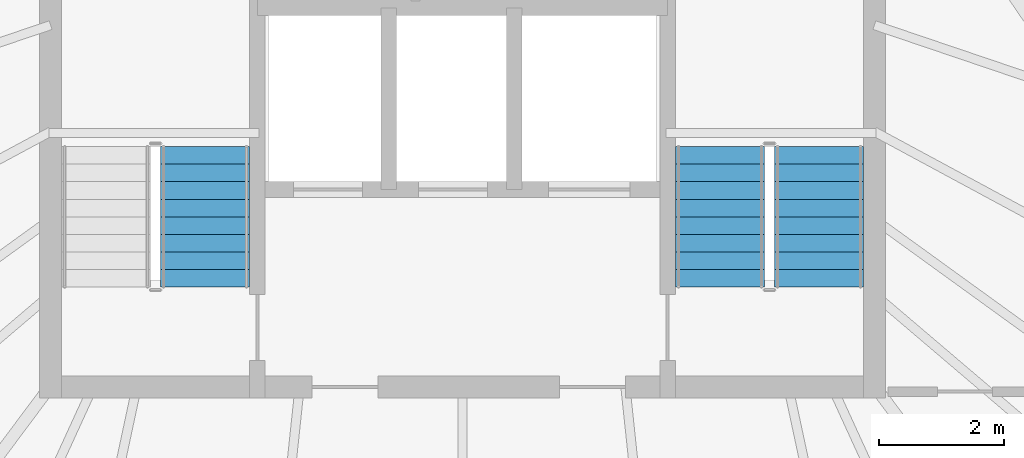
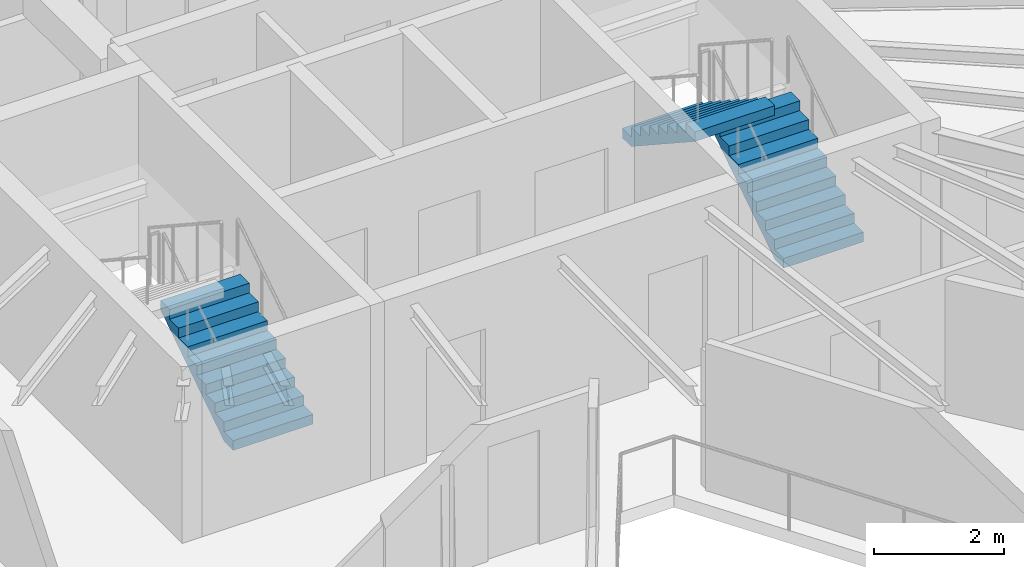
# One storey, part 31 of 34: 3 stair flights, 2 elements without a shape of their own.
"""IFC4 building model written with IfcOpenShell, lengths in metres."""

from ifc_helpers import new_model, si_unit, direction, frame, origin, place, context, subcontext, project, spatial, polyline, outline, extrude, material, type_object, element, aggregate, save


model = new_model("IFC4")

# Units and contexts
model_context = context("Model", 3, precision=1e-05, world=origin(), true_north=direction((0.0, 1.0)))
body_context = subcontext(model_context, "Body", "Model", "MODEL_VIEW")
ifc_project = project(units=[si_unit("LENGTHUNIT", "METRE"), si_unit("AREAUNIT", "SQUARE_METRE"), si_unit("VOLUMEUNIT", "CUBIC_METRE"), si_unit("PLANEANGLEUNIT", "RADIAN"), si_unit("MASSUNIT", "GRAM", prefix="KILO")], contexts=[model_context])

# Site, building, storey
site_placement = place(None, origin())
site = spatial("IfcSite", under=ifc_project, at=site_placement, CompositionType="ELEMENT")
building_placement = place(site_placement, origin())
building = spatial("IfcBuilding", under=site, at=building_placement, Name="Orvanel Arch Residences", CompositionType="ELEMENT")
storey_placement = place(building_placement, frame((0.0, 0.0, 203.0)))
storey = spatial("IfcBuildingStorey", under=building, at=storey_placement, Name="L57", CompositionType="ELEMENT", Elevation=203.0)

# Stair, stair flight
ifc_material = material(Name="Precast concrete N50 (50 MPa)", Category="concrete")
stair_type = type_object("IfcStairType", Name="STR-DOG-184", PredefinedType="USERDEFINED", material=ifc_material)
stair_1_placement = place(storey_placement, origin())
stair_1 = element("IfcStair", 1, at=stair_1_placement, inside=storey, type_object=stair_type, Name="L57 Fire-Isolated Core Exit Stair 1", ObjectType="TWO_RETURN_STAIR", PredefinedType="USERDEFINED")
stair_flight_type_1 = type_object("IfcStairFlightType", Name="SFL-C1-184", PredefinedType="STRAIGHT", material=ifc_material)
stair_flight_1_placement = place(storey_placement, frame((28.889892578125, 28.320068359375, 0.0), z_axis=(0.0, 0.0, 1.0), x_axis=(0.0, 1.0, 0.0)))
stair_flight_1 = element("IfcStairFlight", 2, at=stair_flight_1_placement, type_object=stair_flight_type_1, Name="ST-1 flight 1", NumberOfRisers=9, NumberOfTreads=8, PredefinedType="STRAIGHT", RiserHeight=0.183333333, TreadLength=0.28, context=body_context, shape_type="SweptSolid", body=[
    extrude(outline(polyline([(0.0, 0.0), (0.0, 0.183349609375), (0.280029296875, 0.183349609375), (0.280029296875, 0.36669921875), (0.56005859375, 0.36669921875), (0.56005859375, 0.550048828125), (0.840087890625, 0.550048828125), (0.840087890625, 0.7333984375), (1.1201171875, 0.7333984375), (1.1201171875, 0.916748046875), (1.39990234375, 0.916748046875), (1.39990234375, 1.10009765625), (1.679931640625, 1.10009765625), (1.679931640625, 1.283447265625), (1.9599609375, 1.283447265625), (1.9599609375, 1.466552734375), (2.239990234375, 1.466552734375), (2.239990234375, 1.64990234375), (2.239990234375, 1.28759765625), (0.273681640625, 0.0), (0.0, 0.0)])), frame((0.0, 0.7099609375, 0.0), z_axis=(0.0, -1.0, 0.0), x_axis=(1.0, 0.0, 0.0)), (0.0, 0.0, 1.0), 1.419921875),
])
aggregate(stair_1, [stair_flight_1])

# Stair, stair flights
stair_2_placement = place(storey_placement, origin())
stair_2 = element("IfcStair", 3, at=stair_2_placement, inside=storey, type_object=stair_type, Name="L57 Fire-Isolated Core Exit Stair 2", ObjectType="TWO_RETURN_STAIR", PredefinedType="USERDEFINED")
stair_flight_type_2 = type_object("IfcStairFlightType", Name="SFL-C2-184", PredefinedType="STRAIGHT", material=ifc_material)
stair_flight_2_placement = place(storey_placement, frame((38.68994140625, 28.320068359375, 0.0), z_axis=(0.0, 0.0, 1.0), x_axis=(0.0, 1.0, 0.0)))
stair_flight_2 = element("IfcStairFlight", 4, at=stair_flight_2_placement, type_object=stair_flight_type_2, Name="ST-2 flight 1", NumberOfRisers=9, NumberOfTreads=8, PredefinedType="STRAIGHT", RiserHeight=0.183333333, TreadLength=0.28, context=body_context, shape_type="SweptSolid", body=[
    extrude(outline(polyline([(0.0, 0.0), (0.0, 0.183349609375), (0.280029296875, 0.183349609375), (0.280029296875, 0.36669921875), (0.56005859375, 0.36669921875), (0.56005859375, 0.550048828125), (0.840087890625, 0.550048828125), (0.840087890625, 0.7333984375), (1.1201171875, 0.7333984375), (1.1201171875, 0.916748046875), (1.39990234375, 0.916748046875), (1.39990234375, 1.10009765625), (1.679931640625, 1.10009765625), (1.679931640625, 1.283447265625), (1.9599609375, 1.283447265625), (1.9599609375, 1.466552734375), (2.239990234375, 1.466552734375), (2.239990234375, 1.64990234375), (2.239990234375, 1.28759765625), (0.273681640625, 0.0), (0.0, 0.0)])), frame((0.0, 0.7099609375, 0.0), z_axis=(0.0, -1.0, 0.0), x_axis=(1.0, 0.0, 0.0)), (0.0, 0.0, 1.0), 1.419921875),
])
stair_flight_3_placement = place(storey_placement, frame((37.110107421875, 30.56005859375, 1.64990234375), z_axis=(0.0, 0.0, 1.0), x_axis=(0.0, -1.0, 0.0)))
stair_flight_3 = element("IfcStairFlight", 5, at=stair_flight_3_placement, type_object=stair_flight_type_2, Name="ST-2 flight 2", NumberOfRisers=9, NumberOfTreads=8, PredefinedType="STRAIGHT", RiserHeight=0.183333333, TreadLength=0.28, context=body_context, shape_type="SweptSolid", body=[
    extrude(outline(polyline([(0.0, 0.0), (0.0, 0.183349609375), (0.280029296875, 0.183349609375), (0.280029296875, 0.36669921875), (0.56005859375, 0.36669921875), (0.56005859375, 0.550048828125), (0.840087890625, 0.550048828125), (0.840087890625, 0.7333984375), (1.1201171875, 0.7333984375), (1.1201171875, 0.916748046875), (1.39990234375, 0.916748046875), (1.39990234375, 1.10009765625), (1.679931640625, 1.10009765625), (1.679931640625, 1.283447265625), (1.9599609375, 1.283447265625), (1.9599609375, 1.466552734375), (2.239990234375, 1.466552734375), (2.239990234375, 1.64990234375), (2.239990234375, 1.28759765625), (0.273681640625, 0.0), (0.0, 0.0)])), frame((0.0, 0.7099609375, 0.0), z_axis=(0.0, -1.0, 0.0), x_axis=(1.0, 0.0, 0.0)), (0.0, 0.0, 1.0), 1.419921875),
])
aggregate(stair_2, [stair_flight_2, stair_flight_3])

save(model, "model.ifc")
